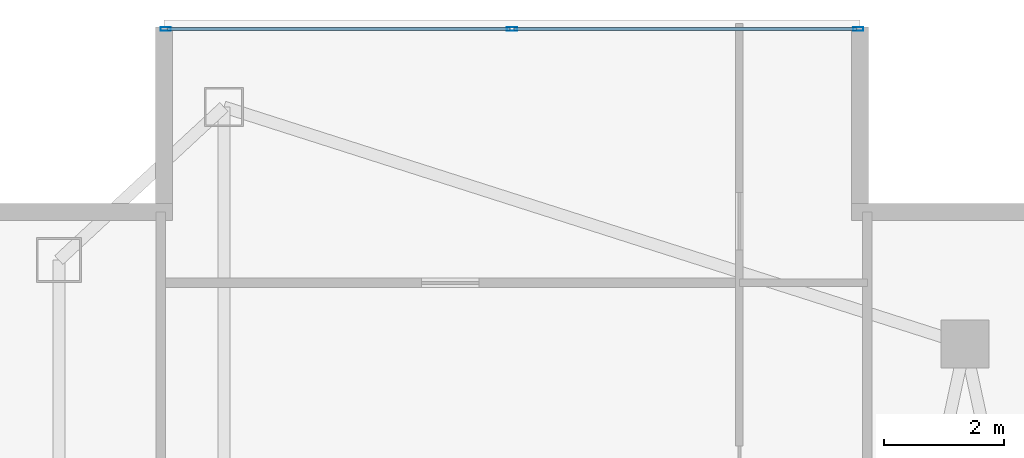
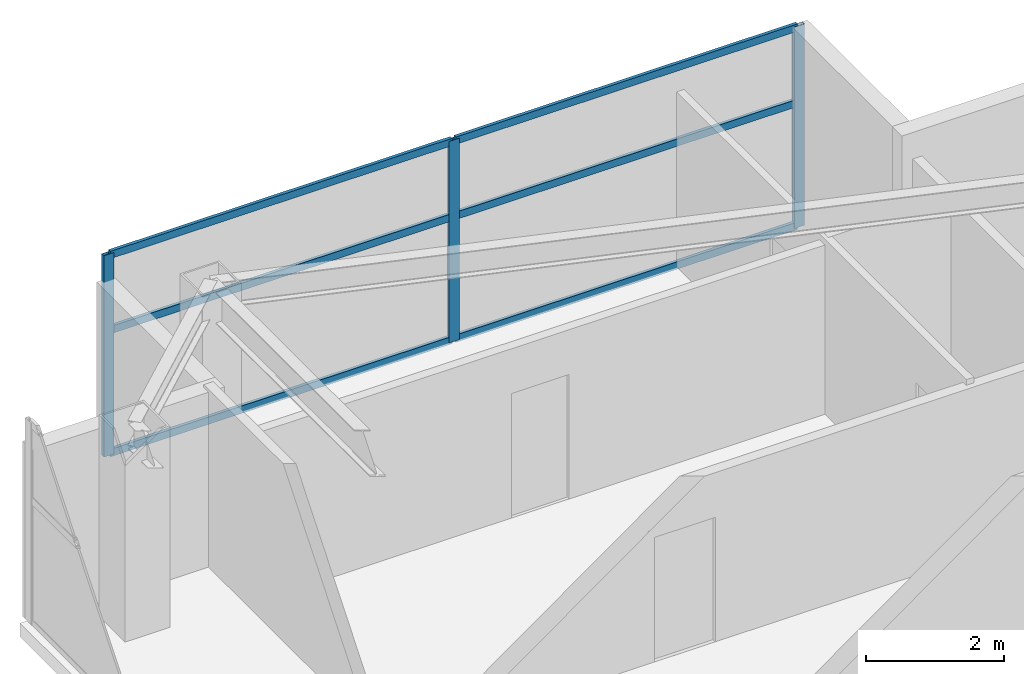
# One storey, part 20 of 27: 9 members, 1 element without a shape of its own.
"""IFC4 building model written with IfcOpenShell, lengths in metres."""

from ifc_helpers import new_model, si_unit, direction, frame, origin, origin_2d, place, context, subcontext, project, spatial, hollow_rectangle, extrude, material, layer, layer_set, material_profile, profile_set, type_object, element, aggregate, save


model = new_model("IFC4")

# Units and contexts
model_context = context("Model", 3, precision=1e-05, world=origin(), true_north=direction((0.0, 1.0)))
body_context = subcontext(model_context, "Body", "Model", "MODEL_VIEW")
ifc_project = project(units=[si_unit("LENGTHUNIT", "METRE"), si_unit("AREAUNIT", "SQUARE_METRE"), si_unit("VOLUMEUNIT", "CUBIC_METRE"), si_unit("PLANEANGLEUNIT", "RADIAN"), si_unit("MASSUNIT", "GRAM", prefix="KILO")], contexts=[model_context])

# Site, building, storey
site_placement = place(None, origin())
site = spatial("IfcSite", under=ifc_project, at=site_placement, CompositionType="ELEMENT")
building_placement = place(site_placement, origin())
building = spatial("IfcBuilding", under=site, at=building_placement, Name="Calvorn Quay Hotel", CompositionType="ELEMENT")
storey_placement = place(building_placement, frame((0.0, 0.0, 291.10009765625)))
storey = spatial("IfcBuildingStorey", under=building, at=storey_placement, Name="L72", CompositionType="ELEMENT", Elevation=291.10009765625)

# Curtain wall, members
ifc_material_1 = material(Name="Champagne Bronze Anodised Aluminium and Low-E Glass", Category="aluminium")
ifc_layer = layer(ifc_material_1, 0.219970703125)
ifc_layer_set = layer_set([ifc_layer], Name="CW-SYS-Z4")
curtain_wall_type = type_object("IfcCurtainWallType", Name="CW-SYS-Z4", PredefinedType="NOTDEFINED", material=ifc_layer_set)
curtain_wall_placement = place(storey_placement, origin())
curtain_wall = element("IfcCurtainWall", 1, at=curtain_wall_placement, inside=storey, type_object=curtain_wall_type, Name="Inner Court Curtain Wall L72-N1", PredefinedType="NOTDEFINED")
ifc_material_2 = material(Name="Champagne Bronze Anodised Aluminium 6063-T6", Category="aluminium")
ifc_material_profile_1 = material_profile(ifc_material_2, hollow_rectangle(XDim=0.06494140625, YDim=0.169921875, WallThickness=0.00341796875, at=origin_2d()), Name="ALU-M170x65x3.5")
ifc_profile_set_1 = profile_set([ifc_material_profile_1], Name="Champagne Bronze Anodised Aluminium 6063-T6")
member_type_1 = type_object("IfcMemberType", Name="CW-SYS-Z4-MUL", PredefinedType="MULLION", material=ifc_profile_set_1)
member_1_placement = place(storey_placement, frame((14.77001953125, 50.85009765625, 0.0), z_axis=(0.0, 0.0, 1.0), x_axis=(0.0, -1.0, 0.0)))
member_1 = element("IfcMember", 2, at=member_1_placement, type_object=member_type_1, Name="CW-L72-N1 mullion 1", PredefinedType="MULLION", context=body_context, shape_type="SweptSolid", body=[
    extrude(hollow_rectangle(XDim=0.06494140625, YDim=0.169921875, WallThickness=0.00341796875, at=origin_2d()), origin(), (0.0, 0.0, 1.0), 3.559814453125),
])
member_2_placement = place(storey_placement, frame((9.0, 50.85009765625, 0.0), z_axis=(0.0, 0.0, 1.0), x_axis=(0.0, -1.0, 0.0)))
member_2 = element("IfcMember", 3, at=member_2_placement, type_object=member_type_1, Name="CW-L72-N1 mullion 2", PredefinedType="MULLION", context=body_context, shape_type="SweptSolid", body=[
    extrude(hollow_rectangle(XDim=0.06494140625, YDim=0.169921875, WallThickness=0.00341796875, at=origin_2d()), origin(), (0.0, 0.0, 1.0), 3.559814453125),
])
member_3_placement = place(storey_placement, frame((3.22998046875, 50.85009765625, 0.0), z_axis=(0.0, 0.0, 1.0), x_axis=(0.0, -1.0, 0.0)))
member_3 = element("IfcMember", 4, at=member_3_placement, type_object=member_type_1, Name="CW-L72-N1 mullion 3", PredefinedType="MULLION", context=body_context, shape_type="SweptSolid", body=[
    extrude(hollow_rectangle(XDim=0.06494140625, YDim=0.169921875, WallThickness=0.00341796875, at=origin_2d()), origin(), (0.0, 0.0, 1.0), 3.559814453125),
])
ifc_material_3 = material(Name="Champagne Bronze Anodised Aluminium 6063-T6", Category="aluminium")
ifc_material_profile_2 = material_profile(ifc_material_3, hollow_rectangle(XDim=0.054931640625, YDim=0.1298828125, WallThickness=0.003173828125, at=origin_2d()), Name="ALU-T130x55x3.2")
ifc_profile_set_2 = profile_set([ifc_material_profile_2], Name="Champagne Bronze Anodised Aluminium 6063-T6")
member_type_2 = type_object("IfcMemberType", Name="CW-SYS-Z4-TRN", PredefinedType="USERDEFINED", material=ifc_profile_set_2)
member_4_placement = place(storey_placement, frame((14.739990234375, 50.85009765625, 0.02978515625), z_axis=(-1.0, 0.0, 0.0), x_axis=(0.0, -1.0, 0.0)))
member_4 = element("IfcMember", 5, at=member_4_placement, type_object=member_type_2, Name="CW-L72-N1 transom 1.1", ObjectType="TRANSOM", PredefinedType="USERDEFINED", context=body_context, shape_type="SweptSolid", body=[
    extrude(hollow_rectangle(XDim=0.054931640625, YDim=0.1298828125, WallThickness=0.003173828125, at=origin_2d()), origin(), (0.0, 0.0, 1.0), 5.7099609375),
])
member_5_placement = place(storey_placement, frame((14.739990234375, 50.85009765625, 2.199951171875), z_axis=(-1.0, 0.0, 0.0), x_axis=(0.0, -1.0, 0.0)))
member_5 = element("IfcMember", 6, at=member_5_placement, type_object=member_type_2, Name="CW-L72-N1 transom 1.2", ObjectType="TRANSOM", PredefinedType="USERDEFINED", context=body_context, shape_type="SweptSolid", body=[
    extrude(hollow_rectangle(XDim=0.054931640625, YDim=0.1298828125, WallThickness=0.003173828125, at=origin_2d()), origin(), (0.0, 0.0, 1.0), 5.7099609375),
])
member_6_placement = place(storey_placement, frame((14.739990234375, 50.85009765625, 3.52978515625), z_axis=(-1.0, 0.0, 0.0), x_axis=(0.0, -1.0, 0.0)))
member_6 = element("IfcMember", 7, at=member_6_placement, type_object=member_type_2, Name="CW-L72-N1 transom 1.3", ObjectType="TRANSOM", PredefinedType="USERDEFINED", context=body_context, shape_type="SweptSolid", body=[
    extrude(hollow_rectangle(XDim=0.054931640625, YDim=0.1298828125, WallThickness=0.003173828125, at=origin_2d()), origin(), (0.0, 0.0, 1.0), 5.7099609375),
])
member_7_placement = place(storey_placement, frame((8.969970703125, 50.85009765625, 0.02978515625), z_axis=(-1.0, 0.0, 0.0), x_axis=(0.0, -1.0, 0.0)))
member_7 = element("IfcMember", 8, at=member_7_placement, type_object=member_type_2, Name="CW-L72-N1 transom 2.1", ObjectType="TRANSOM", PredefinedType="USERDEFINED", context=body_context, shape_type="SweptSolid", body=[
    extrude(hollow_rectangle(XDim=0.054931640625, YDim=0.1298828125, WallThickness=0.003173828125, at=origin_2d()), origin(), (0.0, 0.0, 1.0), 5.7099609375),
])
member_8_placement = place(storey_placement, frame((8.969970703125, 50.85009765625, 2.199951171875), z_axis=(-1.0, 0.0, 0.0), x_axis=(0.0, -1.0, 0.0)))
member_8 = element("IfcMember", 9, at=member_8_placement, type_object=member_type_2, Name="CW-L72-N1 transom 2.2", ObjectType="TRANSOM", PredefinedType="USERDEFINED", context=body_context, shape_type="SweptSolid", body=[
    extrude(hollow_rectangle(XDim=0.054931640625, YDim=0.1298828125, WallThickness=0.003173828125, at=origin_2d()), origin(), (0.0, 0.0, 1.0), 5.7099609375),
])
member_9_placement = place(storey_placement, frame((8.969970703125, 50.85009765625, 3.52978515625), z_axis=(-1.0, 0.0, 0.0), x_axis=(0.0, -1.0, 0.0)))
member_9 = element("IfcMember", 10, at=member_9_placement, type_object=member_type_2, Name="CW-L72-N1 transom 2.3", ObjectType="TRANSOM", PredefinedType="USERDEFINED", context=body_context, shape_type="SweptSolid", body=[
    extrude(hollow_rectangle(XDim=0.054931640625, YDim=0.1298828125, WallThickness=0.003173828125, at=origin_2d()), origin(), (0.0, 0.0, 1.0), 5.7099609375),
])
aggregate(curtain_wall, [member_1, member_2, member_3, member_4, member_5, member_6, member_7, member_8, member_9])

save(model, "model.ifc")
